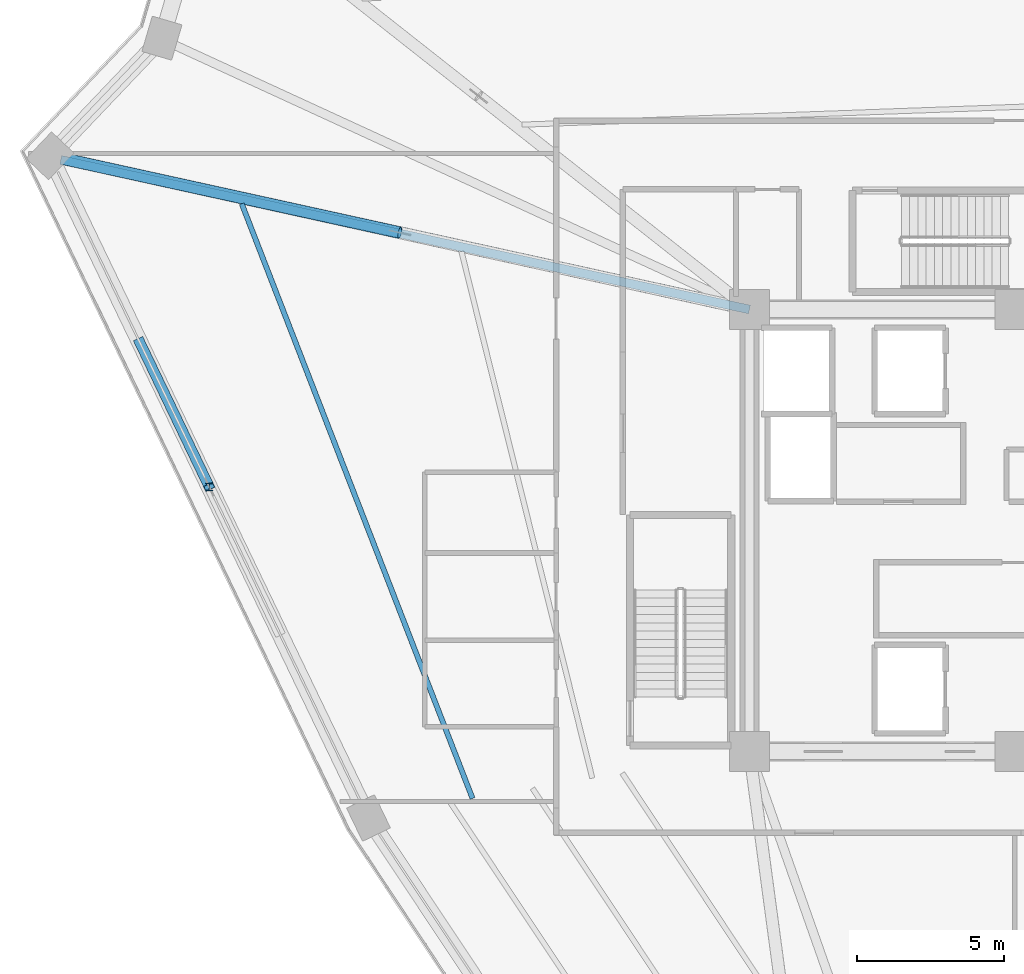
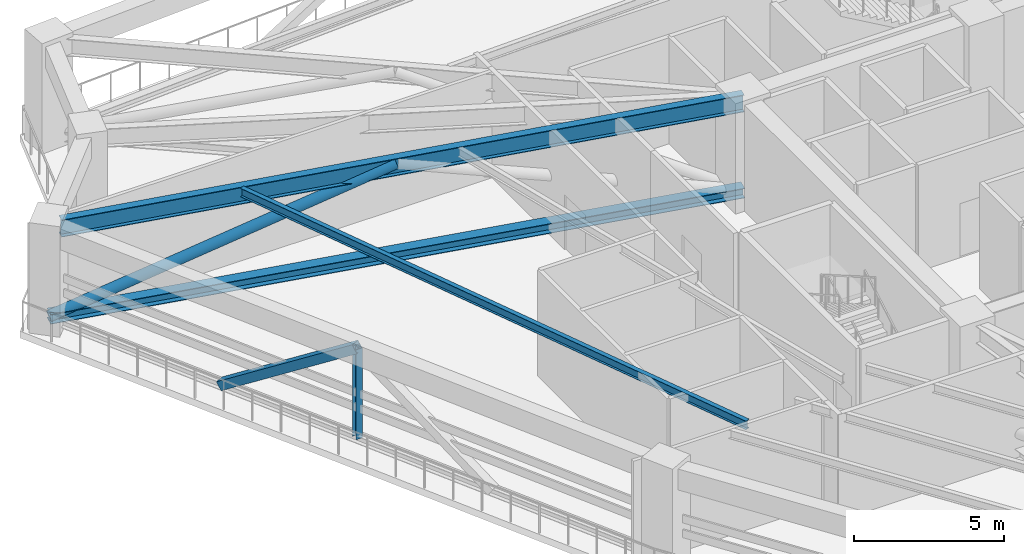
# One storey, part 5 of 25: 4 members, 2 beams.
"""IFC4 building model written with IfcOpenShell, lengths in metres."""

from ifc_helpers import new_model, si_unit, direction, frame, origin, origin_2d, place, context, subcontext, project, spatial, hollow_rectangle, hollow_circle, i_section, extrude, source, transform, mapped, material, material_profile, profile_set, type_object, element, save


model = new_model("IFC4")

# Units and contexts
model_context = context("Model", 3, precision=1e-05, world=origin(), true_north=direction((0.0, 1.0)))
body_context = subcontext(model_context, "Body", "Model", "MODEL_VIEW")
ifc_project = project(units=[si_unit("LENGTHUNIT", "METRE"), si_unit("AREAUNIT", "SQUARE_METRE"), si_unit("VOLUMEUNIT", "CUBIC_METRE"), si_unit("PLANEANGLEUNIT", "RADIAN"), si_unit("MASSUNIT", "GRAM", prefix="KILO")], contexts=[model_context])

# Site, building, storey
site_placement = place(None, origin())
site = spatial("IfcSite", under=ifc_project, at=site_placement, CompositionType="ELEMENT")
building_placement = place(site_placement, origin())
building = spatial("IfcBuilding", under=site, at=building_placement, Name="Liaohun Quay Tower", CompositionType="ELEMENT")
storey_placement = place(building_placement, frame((0.0, 0.0, 231.75)))
storey = spatial("IfcBuildingStorey", under=building, at=storey_placement, Name="L60", CompositionType="ELEMENT", Elevation=231.75)

# Member
ifc_material_1 = material(Name="Steel Q355D", Category="steel")
ifc_material_profile_1 = material_profile(ifc_material_1, i_section(OverallWidth=0.25, OverallDepth=0.25, WebThickness=0.009033203125, FlangeThickness=0.013916015625, at=origin_2d()), Name="HW250x250x9x14")
ifc_profile_set_1 = profile_set([ifc_material_profile_1], Name="Steel Q355D")
member_type_1 = type_object("IfcMemberType", Name="MEM-BLT-PST", PredefinedType="POST", material=ifc_profile_set_1)
shared_shape_1 = source(origin(), body_context, "Body", "SweptSolid", [
    extrude(i_section(OverallWidth=0.25, OverallDepth=0.25, WebThickness=0.009033203125, FlangeThickness=0.013916015625, at=origin_2d()), origin(), (0.0, 0.0, 1.0), 3.669921875),
])
member_1_placement = place(storey_placement, frame((32.66796875, 55.48095703125, 0.35009765625), z_axis=(0.0, 0.0, 1.0), x_axis=(1.0, 0.0, 0.0)))
element("IfcMember", 1, at=member_1_placement, inside=storey, type_object=member_type_1, Name="L60 Belt Truss Vertical Post BP-1-02", PredefinedType="POST", context=body_context, shape_type="MappedRepresentation", body=[
    mapped(shared_shape_1, transform((0.0, 0.0, 0.0), x_axis=(1.0, 0.0, 0.0), y_axis=(0.0, 1.0, 0.0), z_axis=(0.0, 0.0, 1.0), scale=1.0)),
])

# Beams
ifc_material_profile_2 = material_profile(ifc_material_1, i_section(OverallWidth=0.300048828125, OverallDepth=0.699951171875, WebThickness=0.012939453125, FlangeThickness=0.02392578125, at=origin_2d()), Name="HN700x300x13x24")
ifc_profile_set_2 = profile_set([ifc_material_profile_2], Name="Steel Q355D")
beam_type_1 = type_object("IfcBeamType", Name="BM-RAD-U1", PredefinedType="BEAM", material=ifc_profile_set_2)
shared_shape_2 = source(origin(), body_context, "Body", "SweptSolid", [
    extrude(i_section(OverallWidth=0.300048828125, OverallDepth=0.699951171875, WebThickness=0.012939453125, FlangeThickness=0.02392578125, at=origin_2d()), origin(), (0.0, 0.0, 1.0), 23.91845703125),
])
beam_1_placement = place(storey_placement, frame((51.0, 61.5, 3.969970703125), z_axis=(-0.977193679701, 0.212349976106, 0.0), x_axis=(-0.212349976106, -0.977193679701, 0.0)))
element("IfcBeam", 2, at=beam_1_placement, inside=storey, type_object=beam_type_1, Name="L60 Radial Primary Girder CC6-PC03", PredefinedType="BEAM", context=body_context, shape_type="MappedRepresentation", body=[
    mapped(shared_shape_2, transform((0.0, 0.0, 0.0), x_axis=(1.0, 0.0, 0.0), y_axis=(0.0, 1.0, 0.0), z_axis=(0.0, 0.0, 1.0), scale=1.0)),
])
ifc_material_profile_3 = material_profile(ifc_material_1, i_section(OverallWidth=0.175048828125, OverallDepth=0.35009765625, WebThickness=0.007080078125, FlangeThickness=0.010986328125, at=origin_2d()), Name="HN350x175x7x11")
ifc_profile_set_3 = profile_set([ifc_material_profile_3], Name="Steel Q355D")
beam_type_2 = type_object("IfcBeamType", Name="BM-SEC-J3", PredefinedType="JOIST", material=ifc_profile_set_3)
shared_shape_3 = source(origin(), body_context, "Body", "SweptSolid", [
    extrude(i_section(OverallWidth=0.175048828125, OverallDepth=0.35009765625, WebThickness=0.007080078125, FlangeThickness=0.010986328125, at=origin_2d()), origin(), (0.0, 0.0, 1.0), 21.650634765625),
])
beam_2_placement = place(storey_placement, frame((41.60205078125, 44.906982421875, 4.14501953125), z_axis=(-0.361789906789, 0.932259654466, 0.0), x_axis=(-0.932259654466, -0.361789906789, 0.0)))
element("IfcBeam", 3, at=beam_2_placement, inside=storey, type_object=beam_type_2, Name="L60 Wing Secondary Floor Joist SJ-05", PredefinedType="JOIST", context=body_context, shape_type="MappedRepresentation", body=[
    mapped(shared_shape_3, transform((0.0, 0.0, 0.0), x_axis=(1.0, 0.0, 0.0), y_axis=(0.0, 1.0, 0.0), z_axis=(0.0, 0.0, 1.0), scale=1.0)),
])

# Members
ifc_material_2 = material(Name="Steel Q420D", Category="steel")
ifc_material_profile_4 = material_profile(ifc_material_2, i_section(OverallWidth=0.407958984375, OverallDepth=0.39990234375, WebThickness=0.02099609375, FlangeThickness=0.02099609375, at=origin_2d()), Name="HW400x408x21x21")
ifc_profile_set_4 = profile_set([ifc_material_profile_4], Name="Steel Q420D")
member_type_2 = type_object("IfcMemberType", Name="MEM-OUT-CH2", PredefinedType="CHORD", material=ifc_profile_set_4)
shared_shape_4 = source(origin(), body_context, "Body", "SweptSolid", [
    extrude(i_section(OverallWidth=0.407958984375, OverallDepth=0.39990234375, WebThickness=0.02099609375, FlangeThickness=0.02099609375, at=origin_2d()), origin(), (0.0, 0.0, 1.0), 24.3017578125),
])
member_2_placement = place(storey_placement, frame((51.0, 61.5, 0.35009765625), z_axis=(-0.976684883494, 0.214677987589, 0.0), x_axis=(-0.214677987589, -0.976684883494, 0.0)))
element("IfcMember", 4, at=member_2_placement, inside=storey, type_object=member_type_2, Name="L60 Outrigger Bottom Chord OC-02", PredefinedType="CHORD", context=body_context, shape_type="MappedRepresentation", body=[
    mapped(shared_shape_4, transform((0.0, 0.0, 0.0), x_axis=(1.0, 0.0, 0.0), y_axis=(0.0, 1.0, 0.0), z_axis=(0.0, 0.0, 1.0), scale=1.0)),
])
ifc_material_profile_5 = material_profile(ifc_material_2, hollow_circle(Radius=0.202880859375, WallThickness=0.01611328125, at=origin_2d()), Name="CHS406x16")
ifc_profile_set_5 = profile_set([ifc_material_profile_5], Name="Steel Q420D")
member_type_3 = type_object("IfcMemberType", Name="MEM-OUT-DG2", PredefinedType="BRACE", material=ifc_profile_set_5)
shared_shape_5 = source(origin(), body_context, "Body", "SweptSolid", [
    extrude(hollow_circle(Radius=0.202880859375, WallThickness=0.01611328125, at=origin_2d()), origin(), (0.0, 0.0, 1.0), 12.693603515625),
])
member_3_placement = place(storey_placement, frame((39.133056640625, 64.10791015625, 4.02001953125), z_axis=(-0.934967261907, 0.205545855509, -0.289114372603), x_axis=(-0.214715369273, -0.976676666148, 0.0)))
element("IfcMember", 5, at=member_3_placement, inside=storey, type_object=member_type_3, Name="L60 Outrigger Diagonal OD-02B", PredefinedType="BRACE", context=body_context, shape_type="MappedRepresentation", body=[
    mapped(shared_shape_5, transform((0.0, 0.0, 0.0), x_axis=(1.0, 0.0, 0.0), y_axis=(0.0, 1.0, 0.0), z_axis=(0.0, 0.0, 1.0), scale=1.0)),
])
ifc_material_profile_6 = material_profile(ifc_material_1, hollow_rectangle(XDim=0.35009765625, YDim=0.35009765625, WallThickness=0.01611328125, at=origin_2d()), Name="SHS350x350x16")
ifc_profile_set_6 = profile_set([ifc_material_profile_6], Name="Steel Q355D")
member_type_4 = type_object("IfcMemberType", Name="MEM-BLT-DG2", PredefinedType="BRACE", material=ifc_profile_set_6)
shared_shape_6 = source(origin(), body_context, "Body", "SweptSolid", [
    extrude(hollow_rectangle(XDim=0.35009765625, YDim=0.35009765625, WallThickness=0.01611328125, at=origin_2d()), origin(), (0.0, 0.0, 1.0), 6.60009765625),
])
member_4_placement = place(storey_placement, frame((32.66796875, 55.48095703125, 4.02001953125), z_axis=(-0.360135002768, 0.749085244561, -0.556034240099), x_axis=(-0.901253427169, -0.433292349362, 0.0)))
element("IfcMember", 6, at=member_4_placement, inside=storey, type_object=member_type_4, Name="L60 Belt Truss Diagonal BD-02B", PredefinedType="BRACE", context=body_context, shape_type="MappedRepresentation", body=[
    mapped(shared_shape_6, transform((0.0, 0.0, 0.0), x_axis=(1.0, 0.0, 0.0), y_axis=(0.0, 1.0, 0.0), z_axis=(0.0, 0.0, 1.0), scale=1.0)),
])

save(model, "model.ifc")
